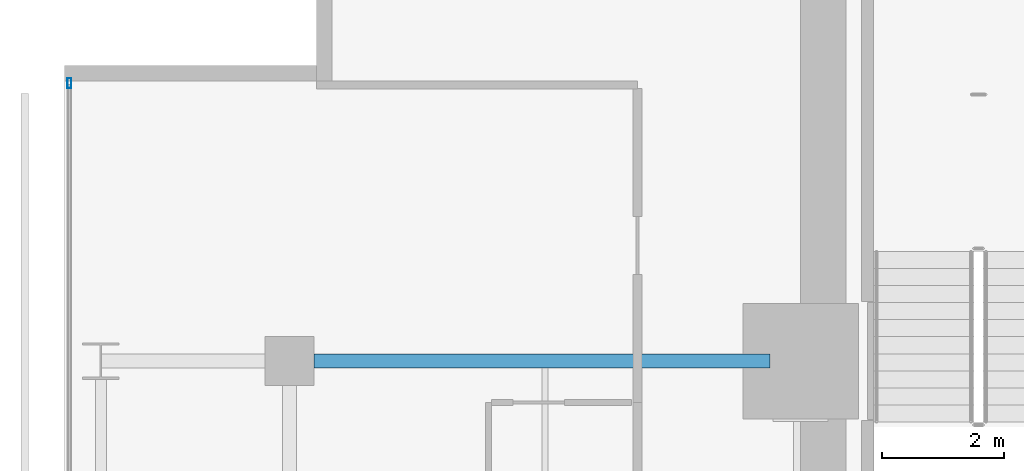
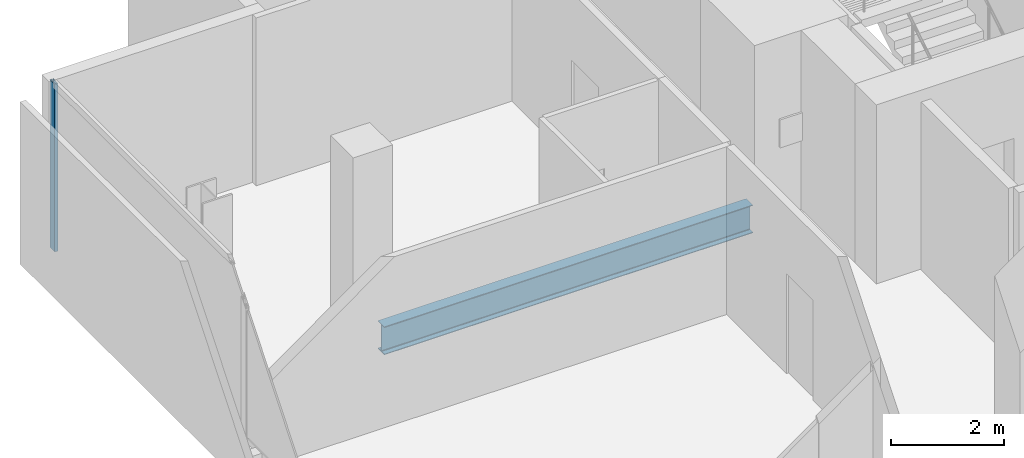
# One storey, part 20 of 34: 1 beam, 1 member, 1 element without a shape of its own.
"""IFC4 building model written with IfcOpenShell, lengths in metres."""

from ifc_helpers import new_model, si_unit, direction, frame, origin, origin_2d, place, context, subcontext, project, spatial, hollow_rectangle, i_section, extrude, material, layer, layer_set, material_profile, profile_set, type_object, element, aggregate, save


model = new_model("IFC4")

# Units and contexts
model_context = context("Model", 3, precision=1e-05, world=origin(), true_north=direction((0.0, 1.0)))
body_context = subcontext(model_context, "Body", "Model", "MODEL_VIEW")
ifc_project = project(units=[si_unit("LENGTHUNIT", "METRE"), si_unit("AREAUNIT", "SQUARE_METRE"), si_unit("VOLUMEUNIT", "CUBIC_METRE"), si_unit("PLANEANGLEUNIT", "RADIAN"), si_unit("MASSUNIT", "GRAM", prefix="KILO")], contexts=[model_context])

# Site, building, storey
site_placement = place(None, origin())
site = spatial("IfcSite", under=ifc_project, at=site_placement, CompositionType="ELEMENT")
building_placement = place(site_placement, origin())
building = spatial("IfcBuilding", under=site, at=building_placement, Name="Maruvema Waterfront Hotel and Observation Tower", CompositionType="ELEMENT")
storey_placement = place(building_placement, frame((0.0, 0.0, 185.14990234375)))
storey = spatial("IfcBuildingStorey", under=building, at=storey_placement, Name="L45", CompositionType="ELEMENT", Elevation=185.14990234375)

# Curtain wall, member
ifc_material_1 = material(Name="Anodised bronze aluminium and solar-control low-E IGU", Category="aluminium")
ifc_layer = layer(ifc_material_1, 0.159912109375, Name="Zone 2 Amber Inner Thermal Curtain Wall System CW-03")
ifc_layer_set = layer_set([ifc_layer], Name="Anodised bronze aluminium and solar-control low-E IGU")
curtain_wall_type = type_object("IfcCurtainWallType", Name="Zone 2 Amber Inner Thermal Curtain Wall System CW-03", PredefinedType="USERDEFINED", material=ifc_layer_set)
curtain_wall_placement = place(storey_placement, origin())
curtain_wall = element("IfcCurtainWall", 1, at=curtain_wall_placement, inside=storey, type_object=curtain_wall_type, Name="L45 Curtain Wall CW-L45-W", ObjectType="UNITISED CURTAIN WALL", PredefinedType="USERDEFINED")
ifc_material_2 = material(Name="Anodised architectural bronze aluminium", Category="aluminium")
ifc_material_profile_1 = material_profile(ifc_material_2, hollow_rectangle(XDim=0.06494140625, YDim=0.1650390625, WallThickness=0.00390625, at=origin_2d()), Name="ALU-M65x165")
ifc_profile_set_1 = profile_set([ifc_material_profile_1], Name="Anodised architectural bronze aluminium")
member_type = type_object("IfcMemberType", Name="Curtain Wall Primary Mullion ALU-M65x165", PredefinedType="MULLION", material=ifc_profile_set_1)
member_placement = place(storey_placement, frame((13.179931640625, 49.570068359375, 0.0), z_axis=(0.0, 0.0, 1.0), x_axis=(1.0, 0.0, 0.0)))
member = element("IfcMember", 2, at=member_placement, type_object=member_type, Name="CW-03 mullion 1", PredefinedType="MULLION", context=body_context, shape_type="SweptSolid", body=[
    extrude(hollow_rectangle(XDim=0.06494140625, YDim=0.1650390625, WallThickness=0.00390625, at=origin_2d()), origin(), (0.0, 0.0, 1.0), 3.610107421875),
])
aggregate(curtain_wall, [member])

# Beam
ifc_material_3 = material(Name="Steel ASTM A572 Grade 50", Category="steel")
ifc_material_profile_2 = material_profile(ifc_material_3, i_section(OverallWidth=0.22802734375, OverallDepth=0.60302734375, WebThickness=0.010498046875, FlangeThickness=0.014892578125, FilletRadius=0.01806640625, at=origin_2d()), Name="W610x101.0")
ifc_profile_set_2 = profile_set([ifc_material_profile_2], Name="Steel ASTM A572 Grade 50")
beam_type = type_object("IfcBeamType", Name="Primary Floor Girder W610x101.0", PredefinedType="BEAM", material=ifc_profile_set_2)
beam_placement = place(storey_placement, frame((17.199951171875, 45.0, -0.54150390625), z_axis=(1.0, 0.0, 0.0), x_axis=(0.0, 1.0, 0.0)))
element("IfcBeam", 3, at=beam_placement, inside=storey, type_object=beam_type, Name="L45 Floor Girder EW-31", PredefinedType="BEAM", context=body_context, shape_type="SweptSolid", body=[
    extrude(i_section(OverallWidth=0.22802734375, OverallDepth=0.60302734375, WebThickness=0.010498046875, FlangeThickness=0.014892578125, FilletRadius=0.01806640625, at=origin_2d()), origin(), (0.0, 0.0, 1.0), 7.5),
])

save(model, "model.ifc")
